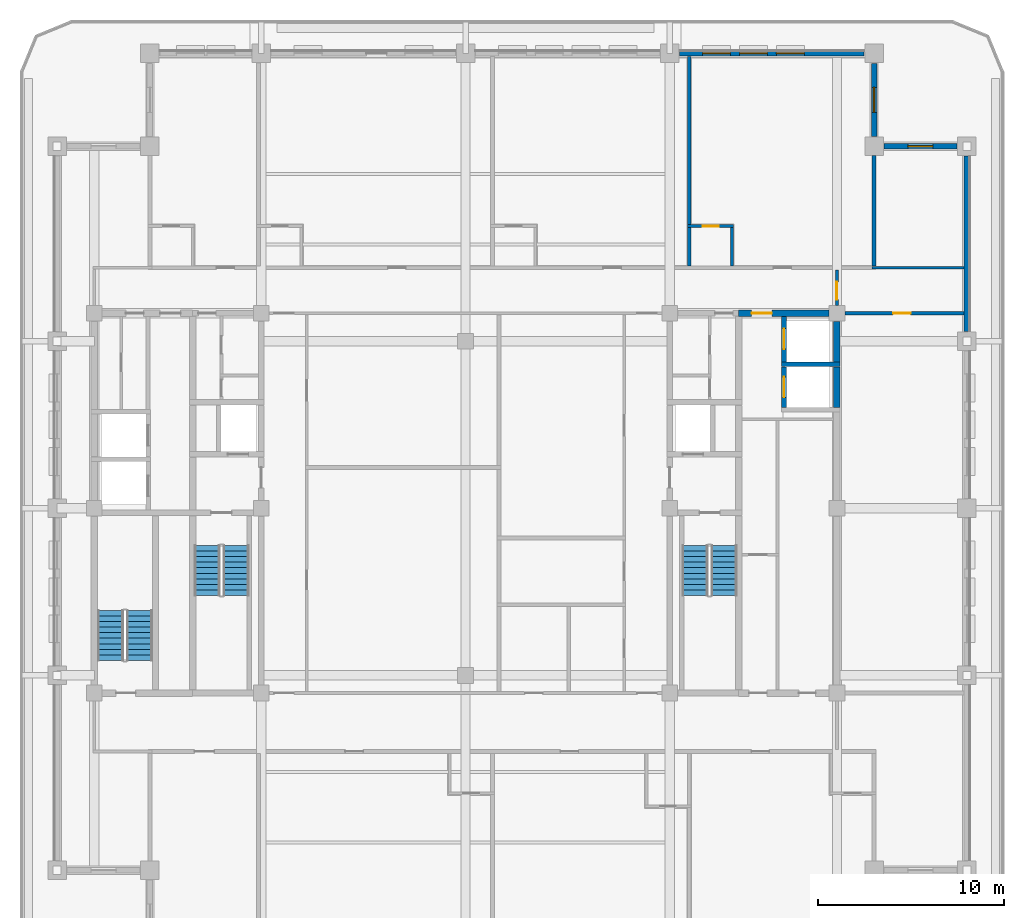
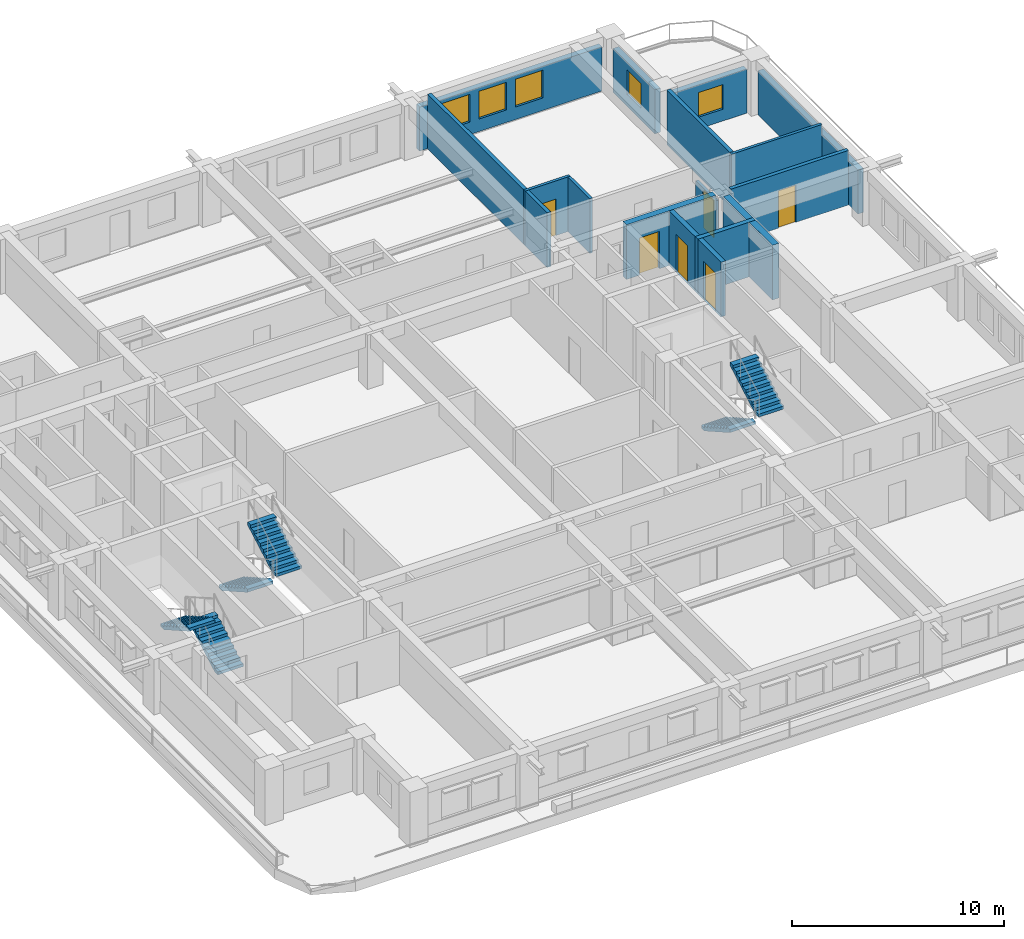
# One storey, part 7 of 14: 18 walls, 6 doors, 6 stair flights, 5 windows, 11 openings, 3 elements without a shape of their own.
"""IFC4 building model written with IfcOpenShell, lengths in metres."""

from ifc_helpers import new_model, si_unit, direction, frame, frame_2d, origin, place, context, subcontext, project, spatial, polyline, rectangle, outline, extrude, material, layer, layer_set, type_object, element, fill, aggregate, save


model = new_model("IFC4")

# Units and contexts
model_context = context("Model", 3, precision=1e-05, world=origin(), true_north=direction((0.0, 1.0)))
body_context = subcontext(model_context, "Body", "Model", "MODEL_VIEW")
ifc_project = project(units=[si_unit("LENGTHUNIT", "METRE"), si_unit("AREAUNIT", "SQUARE_METRE"), si_unit("VOLUMEUNIT", "CUBIC_METRE"), si_unit("PLANEANGLEUNIT", "RADIAN"), si_unit("MASSUNIT", "GRAM", prefix="KILO")], contexts=[model_context])

# Site, building, storey
site_placement = place(None, origin())
site = spatial("IfcSite", under=ifc_project, at=site_placement, CompositionType="ELEMENT")
building_placement = place(site_placement, origin())
building = spatial("IfcBuilding", under=site, at=building_placement, Name="Zulmaris Gate Convention Tower", CompositionType="ELEMENT")
storey_placement = place(building_placement, frame((0.0, 0.0, 162.659912109375)))
storey = spatial("IfcBuildingStorey", under=building, at=storey_placement, Name="L41", CompositionType="ELEMENT", Elevation=162.659912109375)

# Wall
ifc_material_1 = material(Name="Concrete C50/60", Category="concrete")
ifc_layer_1 = layer(ifc_material_1, 0.25, Name="Concrete C50/60")
ifc_layer_set_1 = layer_set([ifc_layer_1], Name="Concrete C50/60")
wall_type_1 = type_object("IfcWallType", Name="CORE-250", PredefinedType="SOLIDWALL", material=ifc_layer_set_1)
wall_1_placement = place(storey_placement, frame((17.02490234375, 7.75, 0.0), z_axis=(0.0, 0.0, 1.0), x_axis=(1.0, 0.0, 0.0)))
element("IfcWall", 1, at=wall_1_placement, inside=storey, type_object=wall_type_1, Name="WL-L41-014", PredefinedType="SOLIDWALL", context=body_context, shape_type="SweptSolid", body=[
    extrude(rectangle(XDim=3.150146484375, YDim=0.25, at=frame_2d((1.5751953125, 0.0))), origin(), (0.0, 0.0, 1.0), 3.14990234375),
])

# Wall, opening, door
wall_2_placement = place(storey_placement, frame((17.14990234375, 5.427001953125, 0.0), z_axis=(0.0, 0.0, 1.0), x_axis=(0.0, 1.0, 0.0)))
wall_2 = element("IfcWall", 2, at=wall_2_placement, inside=storey, type_object=wall_type_1, Name="WL-L41-069", PredefinedType="SOLIDWALL", context=body_context, shape_type="SweptSolid", body=[
    extrude(rectangle(XDim=2.196044921875, YDim=0.25, at=frame_2d((1.09814453125, 0.0))), origin(), (0.0, 0.0, 1.0), 3.14990234375),
])
opening_1_placement = place(wall_2_placement, frame((0.548095703125, 0.0, 0.0)))
opening_1 = element("IfcOpeningElement", 3, at=opening_1_placement, cuts=wall_2, Name="Opening D-06", PredefinedType="OPENING", context=body_context, shape_type="SweptSolid", body=[
    extrude(rectangle(XDim=1.10009765625, YDim=2.199951171875, at=frame_2d((0.550048828125, 1.10009765625))), frame((0.0, 0.135009765625, 0.0), z_axis=(0.0, -1.0, 0.0), x_axis=(1.0, 0.0, 0.0)), (0.0, 0.0, 1.0), 0.27001953125),
])
ifc_material_2 = material(Name="Brushed Stainless Steel", Category="steel")
door_type_1 = type_object("IfcDoorType", Name="LD-1100", OperationType="NOTDEFINED", PredefinedType="DOOR", material=ifc_material_2)
door_1_placement = place(opening_1_placement, origin())
door_1 = element("IfcDoor", 4, at=door_1_placement, inside=storey, type_object=door_type_1, Name="L41 Lift Landing Door HP-01 19", OperationType="SLIDING_TO_RIGHT", OverallHeight=2.199951171875, OverallWidth=1.10009765625, PredefinedType="DOOR", context=body_context, shape_type="SweptSolid", body=[
    extrude(rectangle(XDim=1.10009765625, YDim=2.199951171875, at=frame_2d((0.550048828125, 1.10009765625))), frame((0.0, 0.02490234375, 0.0), z_axis=(0.0, -1.0, 0.0), x_axis=(1.0, 0.0, 0.0)), (0.0, 0.0, 1.0), 0.050048828125),
])
fill(opening_1, door_1)

wall_3_placement = place(storey_placement, frame((17.14990234375, 7.876953125, 0.0), z_axis=(0.0, 0.0, 1.0), x_axis=(0.0, 1.0, 0.0)))
wall_3 = element("IfcWall", 5, at=wall_3_placement, inside=storey, type_object=wall_type_1, Name="WL-L41-070", PredefinedType="SOLIDWALL", context=body_context, shape_type="SweptSolid", body=[
    extrude(rectangle(XDim=2.446044921875, YDim=0.25, at=frame_2d((1.22314453125, 0.0))), origin(), (0.0, 0.0, 1.0), 3.14990234375),
])
opening_2_placement = place(wall_3_placement, frame((0.697998046875, 0.0, 0.0)))
opening_2 = element("IfcOpeningElement", 6, at=opening_2_placement, cuts=wall_3, Name="Opening D-06", PredefinedType="OPENING", context=body_context, shape_type="SweptSolid", body=[
    extrude(rectangle(XDim=1.10009765625, YDim=2.199951171875, at=frame_2d((0.550048828125, 1.10009765625))), frame((0.0, 0.135009765625, 0.0), z_axis=(0.0, -1.0, 0.0), x_axis=(1.0, 0.0, 0.0)), (0.0, 0.0, 1.0), 0.27001953125),
])
door_2_placement = place(opening_2_placement, origin())
door_2 = element("IfcDoor", 7, at=door_2_placement, inside=storey, type_object=door_type_1, Name="L41 Lift Landing Door HP-02 20", OperationType="SLIDING_TO_RIGHT", OverallHeight=2.199951171875, OverallWidth=1.10009765625, PredefinedType="DOOR", context=body_context, shape_type="SweptSolid", body=[
    extrude(rectangle(XDim=1.10009765625, YDim=2.199951171875, at=frame_2d((0.550048828125, 1.10009765625))), frame((0.0, 0.02490234375, 0.0), z_axis=(0.0, -1.0, 0.0), x_axis=(1.0, 0.0, 0.0)), (0.0, 0.0, 1.0), 0.050048828125),
])
fill(opening_2, door_2)

ifc_material_3 = material(Name="Concrete C55/67", Category="concrete")
ifc_layer_2 = layer(ifc_material_3, 0.35009765625, Name="Concrete C55/67")
ifc_layer_set_2 = layer_set([ifc_layer_2], Name="Concrete C55/67")
wall_type_2 = type_object("IfcWallType", Name="CORE-350", PredefinedType="SHEAR", material=ifc_layer_set_2)
wall_4_placement = place(storey_placement, frame((14.699951171875, 10.5, 0.0), z_axis=(0.0, 0.0, 1.0), x_axis=(1.0, 0.0, 0.0)))
wall_4 = element("IfcWall", 8, at=wall_4_placement, inside=storey, type_object=wall_type_2, Name="WL-L41-018", PredefinedType="SHEAR", context=body_context, shape_type="SweptSolid", body=[
    extrude(rectangle(XDim=4.87109375, YDim=0.35009765625, at=frame_2d((2.435546875, 0.0))), origin(), (0.0, 0.0, 1.0), 3.14990234375),
])
opening_3_placement = place(wall_4_placement, frame((0.699951171875, 0.0, 0.0)))
opening_3 = element("IfcOpeningElement", 9, at=opening_3_placement, cuts=wall_4, Name="Opening D-08", PredefinedType="OPENING", context=body_context, shape_type="SweptSolid", body=[
    extrude(rectangle(XDim=1.10009765625, YDim=2.14990234375, at=frame_2d((0.550048828125, 1.074951171875))), frame((0.0, 0.18505859375, 0.0), z_axis=(0.0, -1.0, 0.0), x_axis=(1.0, 0.0, 0.0)), (0.0, 0.0, 1.0), 0.3701171875),
])
ifc_material_4 = material(Name="Fire-Rated Steel", Category="steel")
door_type_2 = type_object("IfcDoorType", Name="DR-1100-FD", OperationType="NOTDEFINED", PredefinedType="DOOR", material=ifc_material_4)
door_3_placement = place(opening_3_placement, origin())
door_3 = element("IfcDoor", 10, at=door_3_placement, inside=storey, type_object=door_type_2, Name="L41 High-Rise East Lift Lobby Door 21", OperationType="SINGLE_SWING_RIGHT", OverallHeight=2.14990234375, OverallWidth=1.10009765625, PredefinedType="DOOR", context=body_context, shape_type="SweptSolid", body=[
    extrude(rectangle(XDim=1.10009765625, YDim=2.14990234375, at=frame_2d((0.550048828125, 1.074951171875))), frame((0.0, 0.02490234375, 0.0), z_axis=(0.0, -1.0, 0.0), x_axis=(1.0, 0.0, 0.0)), (0.0, 0.0, 1.0), 0.050048828125),
])
fill(opening_3, door_3)

# Walls
wall_5_placement = place(storey_placement, frame((20.0, 5.427001953125, 0.0), z_axis=(0.0, 0.0, 1.0), x_axis=(0.0, 1.0, 0.0)))
element("IfcWall", 11, at=wall_5_placement, inside=storey, type_object=wall_type_2, Name="WL-L41-072", PredefinedType="SHEAR", context=body_context, shape_type="SweptSolid", body=[
    extrude(rectangle(XDim=2.196044921875, YDim=0.35009765625, at=frame_2d((1.09814453125, 0.0))), origin(), (0.0, 0.0, 1.0), 3.14990234375),
])
wall_6_placement = place(storey_placement, frame((20.0, 7.876953125, 0.0), z_axis=(0.0, 0.0, 1.0), x_axis=(0.0, 1.0, 0.0)))
element("IfcWall", 12, at=wall_6_placement, inside=storey, type_object=wall_type_2, Name="WL-L41-073", PredefinedType="SHEAR", context=body_context, shape_type="SweptSolid", body=[
    extrude(rectangle(XDim=2.194091796875, YDim=0.35009765625, at=frame_2d((1.09716796875, 0.0))), origin(), (0.0, 0.0, 1.0), 3.14990234375),
])
ifc_material_5 = material(Name="Gypsum Metal Stud Partition")
ifc_layer_3 = layer(ifc_material_5, 0.14990234375, Name="Gypsum Metal Stud Partition")
ifc_layer_set_3 = layer_set([ifc_layer_3], Name="Gypsum Metal Stud Partition")
wall_type_3 = type_object("IfcWallType", Name="PART-150", PredefinedType="PARTITIONING", material=ifc_layer_set_3)
wall_7_placement = place(storey_placement, frame((21.89990234375, 12.949951171875, 0.0), z_axis=(0.0, 0.0, 1.0), x_axis=(1.0, 0.0, 0.0)))
element("IfcWall", 13, at=wall_7_placement, inside=storey, type_object=wall_type_3, Name="WL-L41-037", PredefinedType="PARTITIONING", context=body_context, shape_type="SweptSolid", body=[
    extrude(rectangle(XDim=4.93505859375, YDim=0.14990234375, at=frame_2d((2.467529296875, 0.0))), origin(), (0.0, 0.0, 1.0), 3.14990234375),
])

# Wall, opening, door
wall_8_placement = place(storey_placement, frame((11.949951171875, 15.199951171875, 0.0), z_axis=(0.0, 0.0, 1.0), x_axis=(1.0, 0.0, 0.0)))
wall_8 = element("IfcWall", 14, at=wall_8_placement, inside=storey, type_object=wall_type_3, Name="WL-L41-041", PredefinedType="PARTITIONING", context=body_context, shape_type="SweptSolid", body=[
    extrude(rectangle(XDim=2.47509765625, YDim=0.14990234375, at=frame_2d((1.237548828125, 0.0))), origin(), (0.0, 0.0, 1.0), 3.14990234375),
])
opening_4_placement = place(wall_8_placement, frame((0.824951171875, 0.0, 0.0)))
opening_4 = element("IfcOpeningElement", 15, at=opening_4_placement, cuts=wall_8, Name="Opening D-17", PredefinedType="OPENING", context=body_context, shape_type="SweptSolid", body=[
    extrude(rectangle(XDim=0.85009765625, YDim=2.10009765625, at=frame_2d((0.425048828125, 1.050048828125))), frame((0.0, 0.0849609375, 0.0), z_axis=(0.0, -1.0, 0.0), x_axis=(1.0, 0.0, 0.0)), (0.0, 0.0, 1.0), 0.169921875),
])
ifc_material_6 = material(Name="Moisture-Resistant Hardwood Timber", Category="wood")
door_type_3 = type_object("IfcDoorType", Name="DR-850", OperationType="NOTDEFINED", PredefinedType="DOOR", material=ifc_material_6)
door_4_placement = place(opening_4_placement, origin())
door_4 = element("IfcDoor", 16, at=door_4_placement, inside=storey, type_object=door_type_3, Name="L41 En-Suite Door 36", OperationType="SINGLE_SWING_LEFT", OverallHeight=2.10009765625, OverallWidth=0.85009765625, PredefinedType="DOOR", context=body_context, shape_type="SweptSolid", body=[
    extrude(rectangle(XDim=0.85009765625, YDim=2.10009765625, at=frame_2d((0.425048828125, 1.050048828125))), frame((0.0, 0.02490234375, 0.0), z_axis=(0.0, -1.0, 0.0), x_axis=(1.0, 0.0, 0.0)), (0.0, 0.0, 1.0), 0.050048828125),
])
fill(opening_4, door_4)

# Wall
wall_9_placement = place(storey_placement, frame((14.35009765625, 13.052978515625, 0.0), z_axis=(0.0, 0.0, 1.0), x_axis=(0.0, 1.0, 0.0)))
element("IfcWall", 17, at=wall_9_placement, inside=storey, type_object=wall_type_3, Name="WL-L41-111", PredefinedType="PARTITIONING", context=body_context, shape_type="SweptSolid", body=[
    extrude(rectangle(XDim=2.069091796875, YDim=0.14990234375, at=frame_2d((1.03466796875, 0.0))), origin(), (0.0, 0.0, 1.0), 3.14990234375),
])

# Wall, opening, door
wall_10_placement = place(storey_placement, frame((20.0, 10.930908203125, 0.0), z_axis=(0.0, 0.0, 1.0), x_axis=(0.0, 1.0, 0.0)))
wall_10 = element("IfcWall", 18, at=wall_10_placement, inside=storey, type_object=wall_type_3, Name="WL-L41-116", PredefinedType="PARTITIONING", context=body_context, shape_type="SweptSolid", body=[
    extrude(rectangle(XDim=1.916015625, YDim=0.14990234375, at=frame_2d((0.9580078125, 0.0))), origin(), (0.0, 0.0, 1.0), 2.341796875),
])
opening_5_placement = place(wall_10_placement, frame((0.31396484375, 0.0, 0.0)))
opening_5 = element("IfcOpeningElement", 19, at=opening_5_placement, cuts=wall_10, Name="Opening D-11", PredefinedType="OPENING", context=body_context, shape_type="SweptSolid", body=[
    extrude(rectangle(XDim=0.949951171875, YDim=2.14990234375, at=frame_2d((0.47509765625, 1.074951171875))), frame((0.0, 0.0849609375, 0.0), z_axis=(0.0, -1.0, 0.0), x_axis=(1.0, 0.0, 0.0)), (0.0, 0.0, 1.0), 0.169921875),
])
ifc_material_7 = material(Name="Fire-Rated Timber", Category="wood")
door_type_4 = type_object("IfcDoorType", Name="DR-950-FD", OperationType="NOTDEFINED", PredefinedType="DOOR", material=ifc_material_7)
door_5_placement = place(opening_5_placement, origin())
door_5 = element("IfcDoor", 20, at=door_5_placement, inside=storey, type_object=door_type_4, Name="L41 East Spur Door 50", OperationType="SINGLE_SWING_LEFT", OverallHeight=2.14990234375, OverallWidth=0.949951171875, PredefinedType="DOOR", context=body_context, shape_type="SweptSolid", body=[
    extrude(rectangle(XDim=0.949951171875, YDim=2.14990234375, at=frame_2d((0.47509765625, 1.074951171875))), frame((0.0, 0.02490234375, 0.0), z_axis=(0.0, -1.0, 0.0), x_axis=(1.0, 0.0, 0.0)), (0.0, 0.0, 1.0), 0.050048828125),
])
fill(opening_5, door_5)

ifc_material_8 = material(Name="Autoclaved Aerated Concrete Block and Plasterboard", Category="concrete")
ifc_layer_4 = layer(ifc_material_8, 0.199951171875, Name="Autoclaved Aerated Concrete Block and Plasterboard")
ifc_layer_set_4 = layer_set([ifc_layer_4], Name="Autoclaved Aerated Concrete Block and Plasterboard")
wall_type_4 = type_object("IfcWallType", Name="PART-200", PredefinedType="PARTITIONING", material=ifc_layer_set_4)
wall_11_placement = place(storey_placement, frame((20.430908203125, 10.5, 0.0), z_axis=(0.0, 0.0, 1.0), x_axis=(1.0, 0.0, 0.0)))
wall_11 = element("IfcWall", 21, at=wall_11_placement, inside=storey, type_object=wall_type_4, Name="WL-L41-034", PredefinedType="PARTITIONING", context=body_context, shape_type="SweptSolid", body=[
    extrude(rectangle(XDim=6.404052734375, YDim=0.199951171875, at=frame_2d((3.2021484375, 0.0))), origin(), (0.0, 0.0, 1.0), 3.14990234375),
])
opening_6_placement = place(wall_11_placement, frame((2.593994140625, 0.0, 0.0)))
opening_6 = element("IfcOpeningElement", 22, at=opening_6_placement, cuts=wall_11, Name="Opening D-11", PredefinedType="OPENING", context=body_context, shape_type="SweptSolid", body=[
    extrude(rectangle(XDim=0.949951171875, YDim=2.14990234375, at=frame_2d((0.47509765625, 1.074951171875))), frame((0.0, 0.10986328125, 0.0), z_axis=(0.0, -1.0, 0.0), x_axis=(1.0, 0.0, 0.0)), (0.0, 0.0, 1.0), 0.219970703125),
])
door_6_placement = place(opening_6_placement, origin())
door_6 = element("IfcDoor", 23, at=door_6_placement, inside=storey, type_object=door_type_4, Name="L41 East Lounge Door 51", OperationType="SINGLE_SWING_RIGHT", OverallHeight=2.14990234375, OverallWidth=0.949951171875, PredefinedType="DOOR", context=body_context, shape_type="SweptSolid", body=[
    extrude(rectangle(XDim=0.949951171875, YDim=2.14990234375, at=frame_2d((0.47509765625, 1.074951171875))), frame((0.0, 0.02490234375, 0.0), z_axis=(0.0, -1.0, 0.0), x_axis=(1.0, 0.0, 0.0)), (0.0, 0.0, 1.0), 0.050048828125),
])
fill(opening_6, door_6)

# Walls
wall_12_placement = place(storey_placement, frame((12.050048828125, 13.052978515625, 0.0), z_axis=(0.0, 0.0, 1.0), x_axis=(0.0, 1.0, 0.0)))
element("IfcWall", 24, at=wall_12_placement, inside=storey, type_object=wall_type_4, Name="WL-L41-107", PredefinedType="PARTITIONING", context=body_context, shape_type="SweptSolid", body=[
    extrude(rectangle(XDim=2.069091796875, YDim=0.199951171875, at=frame_2d((1.03466796875, 0.0))), origin(), (0.0, 0.0, 1.0), 3.14990234375),
])
wall_13_placement = place(storey_placement, frame((12.050048828125, 15.278076171875, 0.0), z_axis=(0.0, 0.0, 1.0), x_axis=(0.0, 1.0, 0.0)))
element("IfcWall", 25, at=wall_13_placement, inside=storey, type_object=wall_type_4, Name="WL-L41-108", PredefinedType="PARTITIONING", context=body_context, shape_type="SweptSolid", body=[
    extrude(rectangle(XDim=9.056884765625, YDim=0.199951171875, at=frame_2d((4.5283203125, 0.0))), origin(), (0.0, 0.0, 1.0), 3.14990234375),
])
wall_14_placement = place(storey_placement, frame((22.0, 13.052978515625, 0.0), z_axis=(0.0, 0.0, 1.0), x_axis=(0.0, 1.0, 0.0)))
element("IfcWall", 26, at=wall_14_placement, inside=storey, type_object=wall_type_4, Name="WL-L41-119", PredefinedType="PARTITIONING", context=body_context, shape_type="SweptSolid", body=[
    extrude(rectangle(XDim=5.94091796875, YDim=0.199951171875, at=frame_2d((2.970458984375, 0.0))), origin(), (0.0, 0.0, 1.0), 3.14990234375),
])

# Wall, opening, window
ifc_material_9 = material(Name="Precast concrete C40/50", Category="concrete")
ifc_layer_5 = layer(ifc_material_9, 0.300048828125, Name="Precast concrete C40/50")
ifc_layer_set_5 = layer_set([ifc_layer_5], Name="Precast concrete C40/50")
wall_type_5 = type_object("IfcWallType", Name="PRECAST-PIER-300", PredefinedType="STANDARD", material=ifc_layer_set_5)
wall_15_placement = place(storey_placement, frame((26.469970703125, 19.5, 0.0), z_axis=(0.0, 0.0, 1.0), x_axis=(-1.0, 0.0, 0.0)))
wall_15 = element("IfcWall", 27, at=wall_15_placement, inside=storey, type_object=wall_type_5, Name="EW-L41-NOTCH-NE1_0", PredefinedType="STANDARD", context=body_context, shape_type="SweptSolid", body=[
    extrude(rectangle(XDim=3.93994140625, YDim=0.300048828125, at=frame_2d((1.969970703125, 0.0))), origin(), (0.0, 0.0, 1.0), 2.5419921875),
])
opening_7_placement = place(wall_15_placement, frame((1.294921875, 0.0, 0.679931640625)))
opening_7 = element("IfcOpeningElement", 28, at=opening_7_placement, cuts=wall_15, Name="Opening W-10", PredefinedType="OPENING", context=body_context, shape_type="SweptSolid", body=[
    extrude(rectangle(XDim=1.35009765625, YDim=1.419921875, at=frame_2d((0.675048828125, 0.7099609375))), frame((0.0, 0.16015625, 0.0), z_axis=(0.0, -1.0, 0.0), x_axis=(1.0, 0.0, 0.0)), (0.0, 0.0, 1.0), 0.320068359375),
])
ifc_material_10 = material(Name="Low-E Laminated Double Glazing in Aluminium Frame", Category="aluminium")
window_type_1 = type_object("IfcWindowType", Name="WIN-1350x2000", PartitioningType="SINGLE_PANEL", PredefinedType="WINDOW", material=ifc_material_10)
window_1_placement = place(opening_7_placement, origin())
window_1 = element("IfcWindow", 29, at=window_1_placement, inside=storey, type_object=window_type_1, Name="WN-EW-L41-NOTCH-NE1_0", OverallHeight=1.419921875, OverallWidth=1.35009765625, PartitioningType="SINGLE_PANEL", PredefinedType="WINDOW", context=body_context, shape_type="SweptSolid", body=[
    extrude(rectangle(XDim=1.35009765625, YDim=1.419921875, at=frame_2d((0.675048828125, 0.7099609375))), frame((0.0, 0.030029296875, 0.0), z_axis=(0.0, -1.0, 0.0), x_axis=(1.0, 0.0, 0.0)), (0.0, 0.0, 1.0), 0.06005859375),
])
fill(opening_7, window_1)

wall_16_placement = place(storey_placement, frame((22.0, 20.030029296875, 0.0), z_axis=(0.0, 0.0, 1.0), x_axis=(0.0, 1.0, 0.0)))
wall_16 = element("IfcWall", 30, at=wall_16_placement, inside=storey, type_object=wall_type_5, Name="EW-L41-NOTCH-NE2_0", PredefinedType="STANDARD", context=body_context, shape_type="SweptSolid", body=[
    extrude(rectangle(XDim=3.93994140625, YDim=0.300048828125, at=frame_2d((1.969970703125, 0.0))), origin(), (0.0, 0.0, 1.0), 2.5419921875),
])
opening_8_placement = place(wall_16_placement, frame((1.294921875, 0.0, 0.679931640625)))
opening_8 = element("IfcOpeningElement", 31, at=opening_8_placement, cuts=wall_16, Name="Opening W-10", PredefinedType="OPENING", context=body_context, shape_type="SweptSolid", body=[
    extrude(rectangle(XDim=1.35009765625, YDim=1.419921875, at=frame_2d((0.675048828125, 0.7099609375))), frame((0.0, 0.16015625, 0.0), z_axis=(0.0, -1.0, 0.0), x_axis=(1.0, 0.0, 0.0)), (0.0, 0.0, 1.0), 0.320068359375),
])
window_2_placement = place(opening_8_placement, origin())
window_2 = element("IfcWindow", 32, at=window_2_placement, inside=storey, type_object=window_type_1, Name="WN-EW-L41-NOTCH-NE2_0", OverallHeight=1.419921875, OverallWidth=1.35009765625, PartitioningType="SINGLE_PANEL", PredefinedType="WINDOW", context=body_context, shape_type="SweptSolid", body=[
    extrude(rectangle(XDim=1.35009765625, YDim=1.419921875, at=frame_2d((0.675048828125, 0.7099609375))), frame((0.0, 0.030029296875, 0.0), z_axis=(0.0, -1.0, 0.0), x_axis=(1.0, 0.0, 0.0)), (0.0, 0.0, 1.0), 0.06005859375),
])
fill(opening_8, window_2)

# Wall, openings, windows
wall_17_placement = place(storey_placement, frame((21.469970703125, 24.5, 0.0), z_axis=(0.0, 0.0, 1.0), x_axis=(-1.0, 0.0, 0.0)))
wall_17 = element("IfcWall", 33, at=wall_17_placement, inside=storey, type_object=wall_type_5, Name="EW-L41-N-3_0", PredefinedType="STANDARD", context=body_context, shape_type="SweptSolid", body=[
    extrude(rectangle(XDim=9.93994140625, YDim=0.300048828125, at=frame_2d((4.969970703125, 0.0))), origin(), (0.0, 0.0, 1.0), 2.5419921875),
])
opening_9_placement = place(wall_17_placement, frame((3.22607421875, 0.0, 0.719970703125)))
opening_9 = element("IfcOpeningElement", 34, at=opening_9_placement, cuts=wall_17, Name="Opening W-03", PredefinedType="OPENING", context=body_context, shape_type="SweptSolid", body=[
    extrude(rectangle(XDim=1.5, YDim=1.60009765625, at=frame_2d((0.75, 0.800048828125))), frame((0.0, 0.16015625, 0.0), z_axis=(0.0, -1.0, 0.0), x_axis=(1.0, 0.0, 0.0)), (0.0, 0.0, 1.0), 0.320068359375),
])
opening_10_placement = place(wall_17_placement, frame((5.214111328125, 0.0, 0.719970703125)))
opening_10 = element("IfcOpeningElement", 35, at=opening_10_placement, cuts=wall_17, Name="Opening W-03", PredefinedType="OPENING", context=body_context, shape_type="SweptSolid", body=[
    extrude(rectangle(XDim=1.5, YDim=1.60009765625, at=frame_2d((0.75, 0.800048828125))), frame((0.0, 0.16015625, 0.0), z_axis=(0.0, -1.0, 0.0), x_axis=(1.0, 0.0, 0.0)), (0.0, 0.0, 1.0), 0.320068359375),
])
opening_11_placement = place(wall_17_placement, frame((7.201904296875, 0.0, 0.719970703125)))
opening_11 = element("IfcOpeningElement", 36, at=opening_11_placement, cuts=wall_17, Name="Opening W-03", PredefinedType="OPENING", context=body_context, shape_type="SweptSolid", body=[
    extrude(rectangle(XDim=1.5, YDim=1.60009765625, at=frame_2d((0.75, 0.800048828125))), frame((0.0, 0.16015625, 0.0), z_axis=(0.0, -1.0, 0.0), x_axis=(1.0, 0.0, 0.0)), (0.0, 0.0, 1.0), 0.320068359375),
])
window_type_2 = type_object("IfcWindowType", Name="WIN-1500x2100", PartitioningType="SINGLE_PANEL", PredefinedType="WINDOW", material=ifc_material_10)
window_3_placement = place(opening_9_placement, origin())
window_3 = element("IfcWindow", 37, at=window_3_placement, inside=storey, type_object=window_type_2, Name="WN-EW-L41-N-3_0-2", OverallHeight=1.60009765625, OverallWidth=1.5, PartitioningType="SINGLE_PANEL", PredefinedType="WINDOW", context=body_context, shape_type="SweptSolid", body=[
    extrude(rectangle(XDim=1.5, YDim=1.60009765625, at=frame_2d((0.75, 0.800048828125))), frame((0.0, 0.030029296875, 0.0), z_axis=(0.0, -1.0, 0.0), x_axis=(1.0, 0.0, 0.0)), (0.0, 0.0, 1.0), 0.06005859375),
])
fill(opening_9, window_3)
window_4_placement = place(opening_10_placement, origin())
window_4 = element("IfcWindow", 38, at=window_4_placement, inside=storey, type_object=window_type_2, Name="WN-EW-L41-N-3_0-3", OverallHeight=1.60009765625, OverallWidth=1.5, PartitioningType="SINGLE_PANEL", PredefinedType="WINDOW", context=body_context, shape_type="SweptSolid", body=[
    extrude(rectangle(XDim=1.5, YDim=1.60009765625, at=frame_2d((0.75, 0.800048828125))), frame((0.0, 0.030029296875, 0.0), z_axis=(0.0, -1.0, 0.0), x_axis=(1.0, 0.0, 0.0)), (0.0, 0.0, 1.0), 0.06005859375),
])
fill(opening_10, window_4)
window_5_placement = place(opening_11_placement, origin())
window_5 = element("IfcWindow", 39, at=window_5_placement, inside=storey, type_object=window_type_2, Name="WN-EW-L41-N-3_0-4", OverallHeight=1.60009765625, OverallWidth=1.5, PartitioningType="SINGLE_PANEL", PredefinedType="WINDOW", context=body_context, shape_type="SweptSolid", body=[
    extrude(rectangle(XDim=1.5, YDim=1.60009765625, at=frame_2d((0.75, 0.800048828125))), frame((0.0, 0.030029296875, 0.0), z_axis=(0.0, -1.0, 0.0), x_axis=(1.0, 0.0, 0.0)), (0.0, 0.0, 1.0), 0.06005859375),
])
fill(opening_11, window_5)

# Wall
wall_18_placement = place(storey_placement, frame((27.0, 9.530029296875, 0.0), z_axis=(0.0, 0.0, 1.0), x_axis=(0.0, 1.0, 0.0)))
element("IfcWall", 40, at=wall_18_placement, inside=storey, type_object=wall_type_5, Name="EW-L41-E-3_0", PredefinedType="STANDARD", context=body_context, shape_type="SweptSolid", body=[
    extrude(rectangle(XDim=9.43994140625, YDim=0.300048828125, at=frame_2d((4.719970703125, 0.0))), origin(), (0.0, 0.0, 1.0), 2.5419921875),
])

# Stair, stair flights
ifc_material_11 = material(Name="Concrete C45/55", Category="concrete")
stair_type = type_object("IfcStairType", Name="ST-CORE-DOGLEG", PredefinedType="HALF_TURN_STAIR", material=ifc_material_11)
stair_1_placement = place(storey_placement, origin())
stair_1 = element("IfcStair", 41, at=stair_1_placement, inside=storey, type_object=stair_type, Name="L41 Core Exit Stair ST-1", PredefinedType="HALF_TURN_STAIR")
ifc_layer_6 = layer(ifc_material_11, 0.14990234375, Name="Concrete C45/55")
ifc_layer_set_6 = layer_set([ifc_layer_6], Name="Concrete C45/55")
stair_flight_type = type_object("IfcStairFlightType", Name="STF-RC150", PredefinedType="STRAIGHT", material=ifc_layer_set_6)
stair_flight_1_placement = place(storey_placement, frame((-13.919921875, -2.0, 0.0), z_axis=(0.0, 0.0, 1.0), x_axis=(0.0, -1.0, 0.0)))
stair_flight_1 = element("IfcStairFlight", 42, at=stair_flight_1_placement, type_object=stair_flight_type, Name="ST-1 flight 1", NumberOfRisers=10, NumberOfTreads=9, PredefinedType="STRAIGHT", RiserHeight=0.169995, TreadLength=0.3, context=body_context, shape_type="SweptSolid", body=[
    extrude(outline(polyline([(0.0, 0.0), (0.0, 0.169921875), (0.300048828125, 0.169921875), (0.300048828125, 0.340087890625), (0.60009765625, 0.340087890625), (0.60009765625, 0.510009765625), (0.89990234375, 0.510009765625), (0.89990234375, 0.679931640625), (1.199951171875, 0.679931640625), (1.199951171875, 0.849853515625), (1.5, 0.849853515625), (1.5, 1.02001953125), (1.800048828125, 1.02001953125), (1.800048828125, 1.18994140625), (2.10009765625, 1.18994140625), (2.10009765625, 1.35986328125), (2.39990234375, 1.35986328125), (2.39990234375, 1.530029296875), (2.699951171875, 1.530029296875), (2.699951171875, 1.699951171875), (2.699951171875, 1.357666015625), (0.303955078125, 0.0), (0.0, 0.0)])), frame((0.0, 0.699951171875, 0.0), z_axis=(0.0, -1.0, 0.0), x_axis=(1.0, 0.0, 0.0)), (0.0, 0.0, 1.0), 1.39990234375),
])
stair_flight_2_placement = place(storey_placement, frame((-12.360107421875, -4.699951171875, 1.699951171875), z_axis=(0.0, 0.0, 1.0), x_axis=(0.0, 1.0, 0.0)))
stair_flight_2 = element("IfcStairFlight", 43, at=stair_flight_2_placement, type_object=stair_flight_type, Name="ST-1 flight 2", NumberOfRisers=10, NumberOfTreads=9, PredefinedType="STRAIGHT", RiserHeight=0.169995, TreadLength=0.3, context=body_context, shape_type="SweptSolid", body=[
    extrude(outline(polyline([(0.0, 0.0), (0.0, 0.169921875), (0.300048828125, 0.169921875), (0.300048828125, 0.340087890625), (0.60009765625, 0.340087890625), (0.60009765625, 0.510009765625), (0.89990234375, 0.510009765625), (0.89990234375, 0.679931640625), (1.199951171875, 0.679931640625), (1.199951171875, 0.849853515625), (1.5, 0.849853515625), (1.5, 1.02001953125), (1.800048828125, 1.02001953125), (1.800048828125, 1.18994140625), (2.10009765625, 1.18994140625), (2.10009765625, 1.35986328125), (2.39990234375, 1.35986328125), (2.39990234375, 1.530029296875), (2.699951171875, 1.530029296875), (2.699951171875, 1.699951171875), (2.699951171875, 1.357666015625), (0.303955078125, 0.0), (0.0, 0.0)])), frame((0.0, 0.699951171875, 0.0), z_axis=(0.0, -1.0, 0.0), x_axis=(1.0, 0.0, 0.0)), (0.0, 0.0, 1.0), 1.39990234375),
])
aggregate(stair_1, [stair_flight_1, stair_flight_2])

stair_2_placement = place(storey_placement, origin())
stair_2 = element("IfcStair", 44, at=stair_2_placement, inside=storey, type_object=stair_type, Name="L41 Core Exit Stair ST-2", PredefinedType="HALF_TURN_STAIR")
stair_flight_3_placement = place(storey_placement, frame((12.360107421875, -2.0, 0.0), z_axis=(0.0, 0.0, 1.0), x_axis=(0.0, -1.0, 0.0)))
stair_flight_3 = element("IfcStairFlight", 45, at=stair_flight_3_placement, type_object=stair_flight_type, Name="ST-2 flight 1", NumberOfRisers=10, NumberOfTreads=9, PredefinedType="STRAIGHT", RiserHeight=0.169995, TreadLength=0.3, context=body_context, shape_type="SweptSolid", body=[
    extrude(outline(polyline([(0.0, 0.0), (0.0, 0.169921875), (0.300048828125, 0.169921875), (0.300048828125, 0.340087890625), (0.60009765625, 0.340087890625), (0.60009765625, 0.510009765625), (0.89990234375, 0.510009765625), (0.89990234375, 0.679931640625), (1.199951171875, 0.679931640625), (1.199951171875, 0.849853515625), (1.5, 0.849853515625), (1.5, 1.02001953125), (1.800048828125, 1.02001953125), (1.800048828125, 1.18994140625), (2.10009765625, 1.18994140625), (2.10009765625, 1.35986328125), (2.39990234375, 1.35986328125), (2.39990234375, 1.530029296875), (2.699951171875, 1.530029296875), (2.699951171875, 1.699951171875), (2.699951171875, 1.357666015625), (0.303955078125, 0.0), (0.0, 0.0)])), frame((0.0, 0.699951171875, 0.0), z_axis=(0.0, -1.0, 0.0), x_axis=(1.0, 0.0, 0.0)), (0.0, 0.0, 1.0), 1.39990234375),
])
stair_flight_4_placement = place(storey_placement, frame((13.919921875, -4.699951171875, 1.699951171875), z_axis=(0.0, 0.0, 1.0), x_axis=(0.0, 1.0, 0.0)))
stair_flight_4 = element("IfcStairFlight", 46, at=stair_flight_4_placement, type_object=stair_flight_type, Name="ST-2 flight 2", NumberOfRisers=10, NumberOfTreads=9, PredefinedType="STRAIGHT", RiserHeight=0.169995, TreadLength=0.3, context=body_context, shape_type="SweptSolid", body=[
    extrude(outline(polyline([(0.0, 0.0), (0.0, 0.169921875), (0.300048828125, 0.169921875), (0.300048828125, 0.340087890625), (0.60009765625, 0.340087890625), (0.60009765625, 0.510009765625), (0.89990234375, 0.510009765625), (0.89990234375, 0.679931640625), (1.199951171875, 0.679931640625), (1.199951171875, 0.849853515625), (1.5, 0.849853515625), (1.5, 1.02001953125), (1.800048828125, 1.02001953125), (1.800048828125, 1.18994140625), (2.10009765625, 1.18994140625), (2.10009765625, 1.35986328125), (2.39990234375, 1.35986328125), (2.39990234375, 1.530029296875), (2.699951171875, 1.530029296875), (2.699951171875, 1.699951171875), (2.699951171875, 1.357666015625), (0.303955078125, 0.0), (0.0, 0.0)])), frame((0.0, 0.699951171875, 0.0), z_axis=(0.0, -1.0, 0.0), x_axis=(1.0, 0.0, 0.0)), (0.0, 0.0, 1.0), 1.39990234375),
])
aggregate(stair_2, [stair_flight_3, stair_flight_4])

stair_3_placement = place(storey_placement, origin())
stair_3 = element("IfcStair", 47, at=stair_3_placement, inside=storey, type_object=stair_type, Name="L41 Core Exit Stair ST-3", PredefinedType="HALF_TURN_STAIR")
stair_flight_5_placement = place(storey_placement, frame((-17.56005859375, -8.199951171875, 0.0), z_axis=(0.0, 0.0, 1.0), x_axis=(0.0, 1.0, 0.0)))
stair_flight_5 = element("IfcStairFlight", 48, at=stair_flight_5_placement, type_object=stair_flight_type, Name="ST-3 flight 1", NumberOfRisers=10, NumberOfTreads=9, PredefinedType="STRAIGHT", RiserHeight=0.169995, TreadLength=0.3, context=body_context, shape_type="SweptSolid", body=[
    extrude(outline(polyline([(0.0, 0.0), (0.0, 0.169921875), (0.300048828125, 0.169921875), (0.300048828125, 0.340087890625), (0.60009765625, 0.340087890625), (0.60009765625, 0.510009765625), (0.89990234375, 0.510009765625), (0.89990234375, 0.679931640625), (1.199951171875, 0.679931640625), (1.199951171875, 0.849853515625), (1.5, 0.849853515625), (1.5, 1.02001953125), (1.800048828125, 1.02001953125), (1.800048828125, 1.18994140625), (2.10009765625, 1.18994140625), (2.10009765625, 1.35986328125), (2.39990234375, 1.35986328125), (2.39990234375, 1.530029296875), (2.699951171875, 1.530029296875), (2.699951171875, 1.699951171875), (2.699951171875, 1.357666015625), (0.303955078125, 0.0), (0.0, 0.0)])), frame((0.0, 0.699951171875, 0.0), z_axis=(0.0, -1.0, 0.0), x_axis=(1.0, 0.0, 0.0)), (0.0, 0.0, 1.0), 1.39990234375),
])
stair_flight_6_placement = place(storey_placement, frame((-19.1201171875, -5.5, 1.699951171875), z_axis=(0.0, 0.0, 1.0), x_axis=(0.0, -1.0, 0.0)))
stair_flight_6 = element("IfcStairFlight", 49, at=stair_flight_6_placement, type_object=stair_flight_type, Name="ST-3 flight 2", NumberOfRisers=10, NumberOfTreads=9, PredefinedType="STRAIGHT", RiserHeight=0.169995, TreadLength=0.3, context=body_context, shape_type="SweptSolid", body=[
    extrude(outline(polyline([(0.0, 0.0), (0.0, 0.169921875), (0.300048828125, 0.169921875), (0.300048828125, 0.340087890625), (0.60009765625, 0.340087890625), (0.60009765625, 0.510009765625), (0.89990234375, 0.510009765625), (0.89990234375, 0.679931640625), (1.199951171875, 0.679931640625), (1.199951171875, 0.849853515625), (1.5, 0.849853515625), (1.5, 1.02001953125), (1.800048828125, 1.02001953125), (1.800048828125, 1.18994140625), (2.10009765625, 1.18994140625), (2.10009765625, 1.35986328125), (2.39990234375, 1.35986328125), (2.39990234375, 1.530029296875), (2.699951171875, 1.530029296875), (2.699951171875, 1.699951171875), (2.699951171875, 1.357666015625), (0.303955078125, 0.0), (0.0, 0.0)])), frame((0.0, 0.699951171875, 0.0), z_axis=(0.0, -1.0, 0.0), x_axis=(1.0, 0.0, 0.0)), (0.0, 0.0, 1.0), 1.39990234375),
])
aggregate(stair_3, [stair_flight_5, stair_flight_6])

save(model, "model.ifc")
